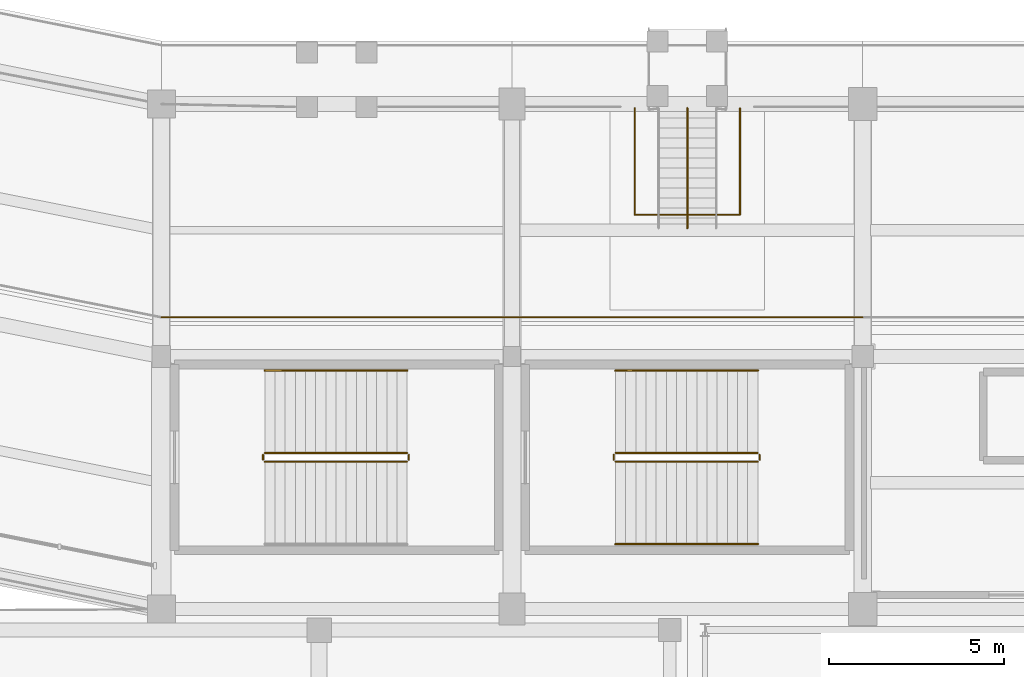
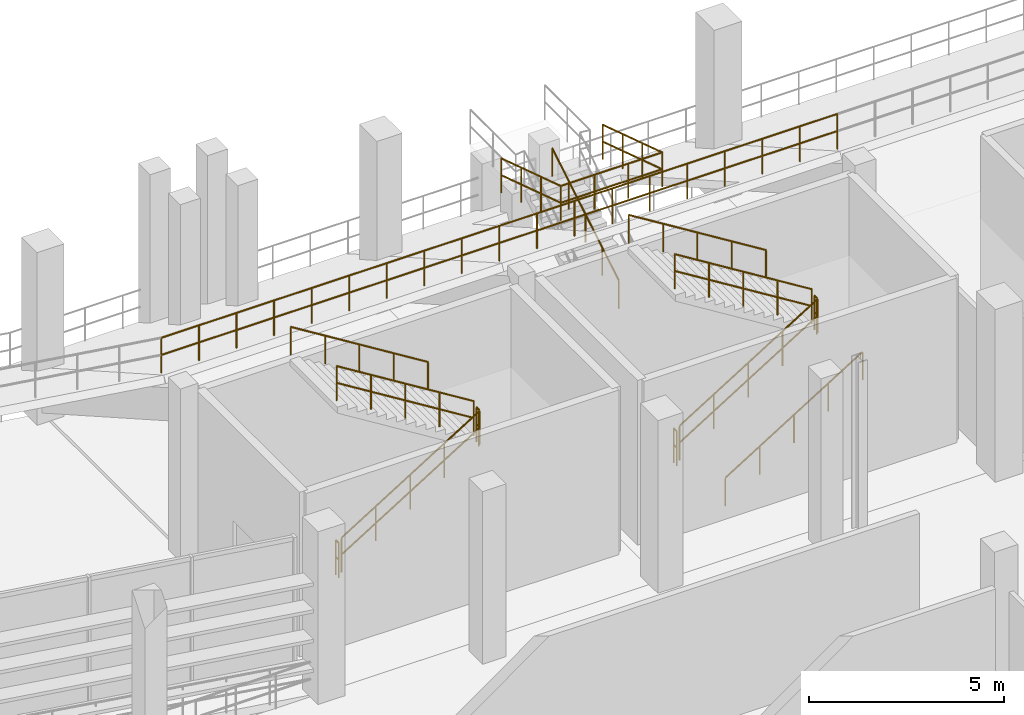
# One storey, part 99 of 127: 15 railings.
"""IFC4 building model written with IfcOpenShell, lengths in metres."""

from ifc_helpers import new_model, si_unit, direction, frame, origin, origin_2d, place, context, subcontext, project, spatial, circle, extrude, material, layer, layer_set, type_object, element, save


model = new_model("IFC4")

# Units and contexts
model_context = context("Model", 3, precision=1e-05, world=origin(), true_north=direction((0.0, 1.0)))
body_context = subcontext(model_context, "Body", "Model", "MODEL_VIEW")
ifc_project = project(units=[si_unit("LENGTHUNIT", "METRE"), si_unit("AREAUNIT", "SQUARE_METRE"), si_unit("VOLUMEUNIT", "CUBIC_METRE"), si_unit("PLANEANGLEUNIT", "RADIAN"), si_unit("MASSUNIT", "GRAM", prefix="KILO")], contexts=[model_context])

# Site, building, storey
site_placement = place(None, origin())
site = spatial("IfcSite", under=ifc_project, at=site_placement, CompositionType="ELEMENT")
building_placement = place(site_placement, origin())
building = spatial("IfcBuilding", under=site, at=building_placement, Name="Candeia Ridge Stadium", CompositionType="ELEMENT")
storey_placement = place(building_placement, frame((0.0, 0.0, 10.800048828125)))
storey = spatial("IfcBuildingStorey", under=building, at=storey_placement, Name="L02", CompositionType="ELEMENT", Elevation=10.800048828125)

# Railings
ifc_material_1 = material(Name="Galvanized Powder-Coated Steel", Category="steel")
ifc_layer_1 = layer(ifc_material_1, 0.074951171875, Name="Galvanized Powder-Coated Steel", Category="steel")
ifc_layer_set_1 = layer_set([ifc_layer_1], Name="Galvanized Powder-Coated Steel")
railing_type_1 = type_object("IfcRailingType", Name="Spectator Bowl Front Guardrail 1120", PredefinedType="GUARDRAIL", material=ifc_layer_set_1)
for number, where, name in (
    (1, (71.0, 27.320068359375, 4.949951171875), "Stand T2 rear safety guardrail bay 19"),
    (2, (81.0, 27.320068359375, 4.949951171875), "Stand T2 rear safety guardrail bay 20"),
):
    element("IfcRailing", number, at=place(storey_placement, frame(where)), inside=storey, type_object=railing_type_1, Name=name, PredefinedType="GUARDRAIL", context=body_context, shape_type="SweptSolid", body=[
        extrude(circle(Radius=0.02392578125, at=origin_2d()), frame((0.0, 0.0, 1.09619140625), z_axis=(1.0, 0.0, 0.0), x_axis=(0.0, 1.0, 0.0)), (0.0, 0.0, 1.0), 10.0),
        extrude(circle(Radius=0.02392578125, at=origin_2d()), frame((0.0, 0.0, 0.56005859375), z_axis=(1.0, 0.0, 0.0), x_axis=(0.0, 1.0, 0.0)), (0.0, 0.0, 1.0), 10.0),
        extrude(circle(Radius=0.02099609375, at=origin_2d()), origin(), (0.0, 0.0, 1.0), 1.072021484375),
        extrude(circle(Radius=0.02099609375, at=origin_2d()), frame((1.111083984375, 0.0, 0.0)), (0.0, 0.0, 1.0), 1.072021484375),
        extrude(circle(Radius=0.02099609375, at=origin_2d()), frame((2.22216796875, 0.0, 0.0)), (0.0, 0.0, 1.0), 1.072021484375),
        extrude(circle(Radius=0.02099609375, at=origin_2d()), frame((3.333251953125, 0.0, 0.0)), (0.0, 0.0, 1.0), 1.072021484375),
        extrude(circle(Radius=0.02099609375, at=origin_2d()), frame((4.4443359375, 0.0, 0.0)), (0.0, 0.0, 1.0), 1.072021484375),
        extrude(circle(Radius=0.02099609375, at=origin_2d()), frame((5.5556640625, 0.0, 0.0)), (0.0, 0.0, 1.0), 1.072021484375),
        extrude(circle(Radius=0.02099609375, at=origin_2d()), frame((6.666748046875, 0.0, 0.0)), (0.0, 0.0, 1.0), 1.072021484375),
        extrude(circle(Radius=0.02099609375, at=origin_2d()), frame((7.77783203125, 0.0, 0.0)), (0.0, 0.0, 1.0), 1.072021484375),
        extrude(circle(Radius=0.02099609375, at=origin_2d()), frame((8.888916015625, 0.0, 0.0)), (0.0, 0.0, 1.0), 1.072021484375),
        extrude(circle(Radius=0.02099609375, at=origin_2d()), frame((10.0, 0.0, 0.0)), (0.0, 0.0, 1.0), 1.072021484375),
    ])
ifc_material_2 = material(Name="Brushed Stainless Steel", Category="steel")
ifc_layer_2 = layer(ifc_material_2, 0.048095703125, Name="Brushed Stainless Steel", Category="steel")
ifc_layer_set_2 = layer_set([ifc_layer_2], Name="Brushed Stainless Steel")
railing_type_2 = type_object("IfcRailingType", Name="Stair Wall & Flight Handrail 900", PredefinedType="HANDRAIL", material=ifc_layer_set_2)
railing_1_placement = place(storey_placement, frame((78.010009765625, 25.800048828125, 2.8798828125)))
element("IfcRailing", 3, at=railing_1_placement, inside=storey, type_object=railing_type_2, Name="L02 ST02 stair handrail 2", PredefinedType="HANDRAIL", context=body_context, shape_type="SweptSolid", body=[
    extrude(circle(Radius=0.02392578125, at=origin_2d()), frame((0.0, 0.0, 0.8759765625), z_axis=(-0.849641744969, 0.0, 0.527360318194), x_axis=(0.0, -1.0, 0.0)), (0.0, 0.0, 1.0), 4.778564453125),
    extrude(circle(Radius=0.02099609375, at=origin_2d()), origin(), (0.0, 0.0, 1.0), 0.851806640625),
    extrude(circle(Radius=0.02099609375, at=origin_2d()), frame((-1.01513671875, 0.0, 0.6298828125)), (0.0, 0.0, 1.0), 0.851806640625),
    extrude(circle(Radius=0.02099609375, at=origin_2d()), frame((-2.030029296875, 0.0, 1.260009765625)), (0.0, 0.0, 1.0), 0.851806640625),
    extrude(circle(Radius=0.02099609375, at=origin_2d()), frame((-3.044921875, 0.0, 1.89013671875)), (0.0, 0.0, 1.0), 0.851806640625),
    extrude(circle(Radius=0.02099609375, at=origin_2d()), frame((-4.06005859375, 0.0, 2.52001953125)), (0.0, 0.0, 1.0), 0.851806640625),
])
railing_2_placement = place(storey_placement, frame((83.949951171875, 20.85009765625, 0.179931640625)))
element("IfcRailing", 4, at=railing_2_placement, inside=storey, type_object=railing_type_2, Name="L02 ST11 stair handrail 1", PredefinedType="HANDRAIL", context=body_context, shape_type="SweptSolid", body=[
    extrude(circle(Radius=0.02392578125, at=origin_2d()), frame((0.0, 0.0, 0.8759765625), z_axis=(0.849641744969, 0.0, 0.527360318194), x_axis=(0.0, 1.0, 0.0)), (0.0, 0.0, 1.0), 4.778564453125),
    extrude(circle(Radius=0.02099609375, at=origin_2d()), origin(), (0.0, 0.0, 1.0), 0.851806640625),
    extrude(circle(Radius=0.02099609375, at=origin_2d()), frame((1.01513671875, 0.0, 0.6298828125)), (0.0, 0.0, 1.0), 0.851806640625),
    extrude(circle(Radius=0.02099609375, at=origin_2d()), frame((2.030029296875, 0.0, 1.260009765625)), (0.0, 0.0, 1.0), 0.851806640625),
    extrude(circle(Radius=0.02099609375, at=origin_2d()), frame((3.044921875, 0.0, 1.89013671875)), (0.0, 0.0, 1.0), 0.851806640625),
    extrude(circle(Radius=0.02099609375, at=origin_2d()), frame((4.06005859375, 0.0, 2.52001953125)), (0.0, 0.0, 1.0), 0.851806640625),
])
railing_3_placement = place(storey_placement, frame((88.010009765625, 25.800048828125, 2.8798828125)))
element("IfcRailing", 5, at=railing_3_placement, inside=storey, type_object=railing_type_2, Name="L02 ST11 stair handrail 2", PredefinedType="HANDRAIL", context=body_context, shape_type="SweptSolid", body=[
    extrude(circle(Radius=0.02392578125, at=origin_2d()), frame((0.0, 0.0, 0.8759765625), z_axis=(-0.849641744969, 0.0, 0.527360318194), x_axis=(0.0, -1.0, 0.0)), (0.0, 0.0, 1.0), 4.778564453125),
    extrude(circle(Radius=0.02099609375, at=origin_2d()), origin(), (0.0, 0.0, 1.0), 0.851806640625),
    extrude(circle(Radius=0.02099609375, at=origin_2d()), frame((-1.01513671875, 0.0, 0.6298828125)), (0.0, 0.0, 1.0), 0.851806640625),
    extrude(circle(Radius=0.02099609375, at=origin_2d()), frame((-2.030029296875, 0.0, 1.260009765625)), (0.0, 0.0, 1.0), 0.851806640625),
    extrude(circle(Radius=0.02099609375, at=origin_2d()), frame((-3.044921875, 0.0, 1.89013671875)), (0.0, 0.0, 1.0), 0.851806640625),
    extrude(circle(Radius=0.02099609375, at=origin_2d()), frame((-4.06005859375, 0.0, 2.52001953125)), (0.0, 0.0, 1.0), 0.851806640625),
])
railing_4_placement = place(storey_placement, frame((86.0, 29.860107421875, 0.17236328125)))
element("IfcRailing", 6, at=railing_4_placement, inside=storey, type_object=railing_type_2, Name="Vomitory stair handrail VS22", PredefinedType="HANDRAIL", context=body_context, shape_type="SweptSolid", body=[
    extrude(circle(Radius=0.02392578125, at=origin_2d()), frame((0.0, 0.0, 0.8759765625), z_axis=(0.0, 0.855757773658, 0.517376683688), x_axis=(-1.0, 0.0, 0.0)), (0.0, 0.0, 1.0), 3.996337890625),
    extrude(circle(Radius=0.02099609375, at=origin_2d()), origin(), (0.0, 0.0, 1.0), 0.851806640625),
    extrude(circle(Radius=0.02099609375, at=origin_2d()), frame((0.0, 0.85498046875, 0.516845703125)), (0.0, 0.0, 1.0), 0.851806640625),
    extrude(circle(Radius=0.02099609375, at=origin_2d()), frame((0.0, 1.7099609375, 1.03369140625)), (0.0, 0.0, 1.0), 0.851806640625),
    extrude(circle(Radius=0.02099609375, at=origin_2d()), frame((0.0, 2.56494140625, 1.55078125)), (0.0, 0.0, 1.0), 0.851806640625),
    extrude(circle(Radius=0.02099609375, at=origin_2d()), frame((0.0, 3.419921875, 2.067626953125)), (0.0, 0.0, 1.0), 0.851806640625),
])
ifc_layer_3 = layer(ifc_material_1, 0.06005859375, Name="Galvanized Powder-Coated Steel", Category="steel")
ifc_layer_set_3 = layer_set([ifc_layer_3], Name="Galvanized Powder-Coated Steel")
railing_type_3 = type_object("IfcRailingType", Name="Stair Well Guardrail 1100", PredefinedType="GUARDRAIL", material=ifc_layer_set_3)
railing_5_placement = place(storey_placement, frame((73.949951171875, 23.199951171875, 0.179931640625)))
element("IfcRailing", 7, at=railing_5_placement, inside=storey, type_object=railing_type_3, Name="L02 ST02 stair guard 1", PredefinedType="GUARDRAIL", context=body_context, shape_type="SweptSolid", body=[
    extrude(circle(Radius=0.02392578125, at=origin_2d()), frame((0.0, 0.0, 1.076171875), z_axis=(0.849641744969, 0.0, 0.527360318194), x_axis=(0.0, 1.0, 0.0)), (0.0, 0.0, 1.0), 4.778564453125),
    extrude(circle(Radius=0.02392578125, at=origin_2d()), frame((0.0, 0.0, 0.550048828125), z_axis=(0.849641744969, 0.0, 0.527360318194), x_axis=(0.0, 1.0, 0.0)), (0.0, 0.0, 1.0), 4.778564453125),
    extrude(circle(Radius=0.02099609375, at=origin_2d()), origin(), (0.0, 0.0, 1.0), 1.052001953125),
    extrude(circle(Radius=0.02099609375, at=origin_2d()), frame((1.01513671875, 0.0, 0.6298828125)), (0.0, 0.0, 1.0), 1.052001953125),
    extrude(circle(Radius=0.02099609375, at=origin_2d()), frame((2.030029296875, 0.0, 1.260009765625)), (0.0, 0.0, 1.0), 1.052001953125),
    extrude(circle(Radius=0.02099609375, at=origin_2d()), frame((3.044921875, 0.0, 1.89013671875)), (0.0, 0.0, 1.0), 1.052001953125),
    extrude(circle(Radius=0.02099609375, at=origin_2d()), frame((4.06005859375, 0.0, 2.52001953125)), (0.0, 0.0, 1.0), 1.052001953125),
])
railing_6_placement = place(storey_placement, frame((78.06005859375, 23.25, 2.699951171875)))
element("IfcRailing", 8, at=railing_6_placement, inside=storey, type_object=railing_type_3, Name="L02 ST02 stair guard 2", PredefinedType="GUARDRAIL", context=body_context, shape_type="SweptSolid", body=[
    extrude(circle(Radius=0.02392578125, at=origin_2d()), frame((0.0, 0.0, 1.076171875), z_axis=(0.0, 1.0, 0.0), x_axis=(-1.0, 0.0, 0.0)), (0.0, 0.0, 1.0), 0.14990234375),
    extrude(circle(Radius=0.02392578125, at=origin_2d()), frame((0.0, 0.0, 0.550048828125), z_axis=(0.0, 1.0, 0.0), x_axis=(-1.0, 0.0, 0.0)), (0.0, 0.0, 1.0), 0.14990234375),
    extrude(circle(Radius=0.02099609375, at=origin_2d()), origin(), (0.0, 0.0, 1.0), 1.052001953125),
    extrude(circle(Radius=0.02099609375, at=origin_2d()), frame((0.0, 0.14990234375, 0.0)), (0.0, 0.0, 1.0), 1.052001953125),
])
railing_7_placement = place(storey_placement, frame((78.010009765625, 23.449951171875, 2.8798828125)))
element("IfcRailing", 9, at=railing_7_placement, inside=storey, type_object=railing_type_3, Name="L02 ST02 stair guard 3", PredefinedType="GUARDRAIL", context=body_context, shape_type="SweptSolid", body=[
    extrude(circle(Radius=0.02392578125, at=origin_2d()), frame((0.0, 0.0, 1.076171875), z_axis=(-0.849641744969, 0.0, 0.527360318194), x_axis=(0.0, -1.0, 0.0)), (0.0, 0.0, 1.0), 4.778564453125),
    extrude(circle(Radius=0.02392578125, at=origin_2d()), frame((0.0, 0.0, 0.550048828125), z_axis=(-0.849641744969, 0.0, 0.527360318194), x_axis=(0.0, -1.0, 0.0)), (0.0, 0.0, 1.0), 4.778564453125),
    extrude(circle(Radius=0.02099609375, at=origin_2d()), origin(), (0.0, 0.0, 1.0), 1.052001953125),
    extrude(circle(Radius=0.02099609375, at=origin_2d()), frame((-1.01513671875, 0.0, 0.6298828125)), (0.0, 0.0, 1.0), 1.052001953125),
    extrude(circle(Radius=0.02099609375, at=origin_2d()), frame((-2.030029296875, 0.0, 1.260009765625)), (0.0, 0.0, 1.0), 1.052001953125),
    extrude(circle(Radius=0.02099609375, at=origin_2d()), frame((-3.044921875, 0.0, 1.89013671875)), (0.0, 0.0, 1.0), 1.052001953125),
    extrude(circle(Radius=0.02099609375, at=origin_2d()), frame((-4.06005859375, 0.0, 2.52001953125)), (0.0, 0.0, 1.0), 1.052001953125),
])
railing_8_placement = place(storey_placement, frame((73.89990234375, 23.25, 0.0)))
element("IfcRailing", 10, at=railing_8_placement, inside=storey, type_object=railing_type_3, Name="L02 ST02 stair guard 4", PredefinedType="GUARDRAIL", context=body_context, shape_type="SweptSolid", body=[
    extrude(circle(Radius=0.02392578125, at=origin_2d()), frame((0.0, 0.0, 1.076171875), z_axis=(0.0, 1.0, 0.0), x_axis=(-1.0, 0.0, 0.0)), (0.0, 0.0, 1.0), 0.14990234375),
    extrude(circle(Radius=0.02392578125, at=origin_2d()), frame((0.0, 0.0, 0.550048828125), z_axis=(0.0, 1.0, 0.0), x_axis=(-1.0, 0.0, 0.0)), (0.0, 0.0, 1.0), 0.14990234375),
    extrude(circle(Radius=0.02099609375, at=origin_2d()), origin(), (0.0, 0.0, 1.0), 1.052001953125),
    extrude(circle(Radius=0.02099609375, at=origin_2d()), frame((0.0, 0.14990234375, 0.0)), (0.0, 0.0, 1.0), 1.052001953125),
])
railing_9_placement = place(storey_placement, frame((83.949951171875, 23.199951171875, 0.179931640625)))
element("IfcRailing", 11, at=railing_9_placement, inside=storey, type_object=railing_type_3, Name="L02 ST11 stair guard 1", PredefinedType="GUARDRAIL", context=body_context, shape_type="SweptSolid", body=[
    extrude(circle(Radius=0.02392578125, at=origin_2d()), frame((0.0, 0.0, 1.076171875), z_axis=(0.849641744969, 0.0, 0.527360318194), x_axis=(0.0, 1.0, 0.0)), (0.0, 0.0, 1.0), 4.778564453125),
    extrude(circle(Radius=0.02392578125, at=origin_2d()), frame((0.0, 0.0, 0.550048828125), z_axis=(0.849641744969, 0.0, 0.527360318194), x_axis=(0.0, 1.0, 0.0)), (0.0, 0.0, 1.0), 4.778564453125),
    extrude(circle(Radius=0.02099609375, at=origin_2d()), origin(), (0.0, 0.0, 1.0), 1.052001953125),
    extrude(circle(Radius=0.02099609375, at=origin_2d()), frame((1.01513671875, 0.0, 0.6298828125)), (0.0, 0.0, 1.0), 1.052001953125),
    extrude(circle(Radius=0.02099609375, at=origin_2d()), frame((2.030029296875, 0.0, 1.260009765625)), (0.0, 0.0, 1.0), 1.052001953125),
    extrude(circle(Radius=0.02099609375, at=origin_2d()), frame((3.044921875, 0.0, 1.89013671875)), (0.0, 0.0, 1.0), 1.052001953125),
    extrude(circle(Radius=0.02099609375, at=origin_2d()), frame((4.06005859375, 0.0, 2.52001953125)), (0.0, 0.0, 1.0), 1.052001953125),
])
railing_10_placement = place(storey_placement, frame((88.06005859375, 23.25, 2.699951171875)))
element("IfcRailing", 12, at=railing_10_placement, inside=storey, type_object=railing_type_3, Name="L02 ST11 stair guard 2", PredefinedType="GUARDRAIL", context=body_context, shape_type="SweptSolid", body=[
    extrude(circle(Radius=0.02392578125, at=origin_2d()), frame((0.0, 0.0, 1.076171875), z_axis=(0.0, 1.0, 0.0), x_axis=(-1.0, 0.0, 0.0)), (0.0, 0.0, 1.0), 0.14990234375),
    extrude(circle(Radius=0.02392578125, at=origin_2d()), frame((0.0, 0.0, 0.550048828125), z_axis=(0.0, 1.0, 0.0), x_axis=(-1.0, 0.0, 0.0)), (0.0, 0.0, 1.0), 0.14990234375),
    extrude(circle(Radius=0.02099609375, at=origin_2d()), origin(), (0.0, 0.0, 1.0), 1.052001953125),
    extrude(circle(Radius=0.02099609375, at=origin_2d()), frame((0.0, 0.14990234375, 0.0)), (0.0, 0.0, 1.0), 1.052001953125),
])
railing_11_placement = place(storey_placement, frame((88.010009765625, 23.449951171875, 2.8798828125)))
element("IfcRailing", 13, at=railing_11_placement, inside=storey, type_object=railing_type_3, Name="L02 ST11 stair guard 3", PredefinedType="GUARDRAIL", context=body_context, shape_type="SweptSolid", body=[
    extrude(circle(Radius=0.02392578125, at=origin_2d()), frame((0.0, 0.0, 1.076171875), z_axis=(-0.849641744969, 0.0, 0.527360318194), x_axis=(0.0, -1.0, 0.0)), (0.0, 0.0, 1.0), 4.778564453125),
    extrude(circle(Radius=0.02392578125, at=origin_2d()), frame((0.0, 0.0, 0.550048828125), z_axis=(-0.849641744969, 0.0, 0.527360318194), x_axis=(0.0, -1.0, 0.0)), (0.0, 0.0, 1.0), 4.778564453125),
    extrude(circle(Radius=0.02099609375, at=origin_2d()), origin(), (0.0, 0.0, 1.0), 1.052001953125),
    extrude(circle(Radius=0.02099609375, at=origin_2d()), frame((-1.01513671875, 0.0, 0.6298828125)), (0.0, 0.0, 1.0), 1.052001953125),
    extrude(circle(Radius=0.02099609375, at=origin_2d()), frame((-2.030029296875, 0.0, 1.260009765625)), (0.0, 0.0, 1.0), 1.052001953125),
    extrude(circle(Radius=0.02099609375, at=origin_2d()), frame((-3.044921875, 0.0, 1.89013671875)), (0.0, 0.0, 1.0), 1.052001953125),
    extrude(circle(Radius=0.02099609375, at=origin_2d()), frame((-4.06005859375, 0.0, 2.52001953125)), (0.0, 0.0, 1.0), 1.052001953125),
])
railing_12_placement = place(storey_placement, frame((83.89990234375, 23.25, 0.0)))
element("IfcRailing", 14, at=railing_12_placement, inside=storey, type_object=railing_type_3, Name="L02 ST11 stair guard 4", PredefinedType="GUARDRAIL", context=body_context, shape_type="SweptSolid", body=[
    extrude(circle(Radius=0.02392578125, at=origin_2d()), frame((0.0, 0.0, 1.076171875), z_axis=(0.0, 1.0, 0.0), x_axis=(-1.0, 0.0, 0.0)), (0.0, 0.0, 1.0), 0.14990234375),
    extrude(circle(Radius=0.02392578125, at=origin_2d()), frame((0.0, 0.0, 0.550048828125), z_axis=(0.0, 1.0, 0.0), x_axis=(-1.0, 0.0, 0.0)), (0.0, 0.0, 1.0), 0.14990234375),
    extrude(circle(Radius=0.02099609375, at=origin_2d()), origin(), (0.0, 0.0, 1.0), 1.052001953125),
    extrude(circle(Radius=0.02099609375, at=origin_2d()), frame((0.0, 0.14990234375, 0.0)), (0.0, 0.0, 1.0), 1.052001953125),
])
ifc_layer_4 = layer(ifc_material_1, 0.070068359375, Name="Galvanized Powder-Coated Steel", Category="steel")
ifc_layer_set_4 = layer_set([ifc_layer_4], Name="Galvanized Powder-Coated Steel")
railing_type_4 = type_object("IfcRailingType", Name="Vomitory Portal Guardrail 1100", PredefinedType="GUARDRAIL", material=ifc_layer_set_4)
railing_13_placement = place(storey_placement, frame((84.5, 33.280029296875, 2.239990234375)))
element("IfcRailing", 15, at=railing_13_placement, inside=storey, type_object=railing_type_4, Name="Vomitory portal guardrail VS22", PredefinedType="GUARDRAIL", context=body_context, shape_type="SweptSolid", body=[
    extrude(circle(Radius=0.02392578125, at=origin_2d()), frame((0.0, 0.0, 1.076171875), z_axis=(0.0, -0.95168124109, 0.307087634653), x_axis=(1.0, 0.0, 0.0)), (0.0, 0.0, 1.0), 3.1943359375),
    extrude(circle(Radius=0.02392578125, at=origin_2d()), frame((0.0, 0.0, 0.550048828125), z_axis=(0.0, -0.95168124109, 0.307087634653), x_axis=(1.0, 0.0, 0.0)), (0.0, 0.0, 1.0), 3.1943359375),
    extrude(circle(Radius=0.02392578125, at=origin_2d()), frame((0.0, -3.0400390625, 2.05712890625), z_axis=(1.0, 0.0, 0.0), x_axis=(0.0, 1.0, 0.0)), (0.0, 0.0, 1.0), 3.0),
    extrude(circle(Radius=0.02392578125, at=origin_2d()), frame((0.0, -3.0400390625, 1.531005859375), z_axis=(1.0, 0.0, 0.0), x_axis=(0.0, 1.0, 0.0)), (0.0, 0.0, 1.0), 3.0),
    extrude(circle(Radius=0.02392578125, at=origin_2d()), frame((3.0, -3.0400390625, 2.05712890625), z_axis=(0.0, 0.95168124109, -0.307087634653), x_axis=(-1.0, 0.0, 0.0)), (0.0, 0.0, 1.0), 3.1943359375),
    extrude(circle(Radius=0.02392578125, at=origin_2d()), frame((3.0, -3.0400390625, 1.531005859375), z_axis=(0.0, 0.95168124109, -0.307087634653), x_axis=(-1.0, 0.0, 0.0)), (0.0, 0.0, 1.0), 3.1943359375),
    extrude(circle(Radius=0.02099609375, at=origin_2d()), origin(), (0.0, 0.0, 1.0), 1.052001953125),
    extrude(circle(Radius=0.02099609375, at=origin_2d()), frame((0.0, -1.013427734375, 0.326904296875)), (0.0, 0.0, 1.0), 1.052001953125),
    extrude(circle(Radius=0.02099609375, at=origin_2d()), frame((0.0, -2.026611328125, 0.654052734375)), (0.0, 0.0, 1.0), 1.052001953125),
    extrude(circle(Radius=0.02099609375, at=origin_2d()), frame((0.0, -3.0400390625, 0.98095703125)), (0.0, 0.0, 1.0), 1.052001953125),
    extrude(circle(Radius=0.02099609375, at=origin_2d()), frame((1.0, -3.0400390625, 0.98095703125)), (0.0, 0.0, 1.0), 1.052001953125),
    extrude(circle(Radius=0.02099609375, at=origin_2d()), frame((2.0, -3.0400390625, 0.98095703125)), (0.0, 0.0, 1.0), 1.052001953125),
    extrude(circle(Radius=0.02099609375, at=origin_2d()), frame((3.0, -3.0400390625, 0.98095703125)), (0.0, 0.0, 1.0), 1.052001953125),
    extrude(circle(Radius=0.02099609375, at=origin_2d()), frame((3.0, -2.026611328125, 0.654052734375)), (0.0, 0.0, 1.0), 1.052001953125),
    extrude(circle(Radius=0.02099609375, at=origin_2d()), frame((3.0, -1.013427734375, 0.326904296875)), (0.0, 0.0, 1.0), 1.052001953125),
    extrude(circle(Radius=0.02099609375, at=origin_2d()), frame((3.0, 0.0, 0.0)), (0.0, 0.0, 1.0), 1.052001953125),
])

save(model, "model.ifc")
